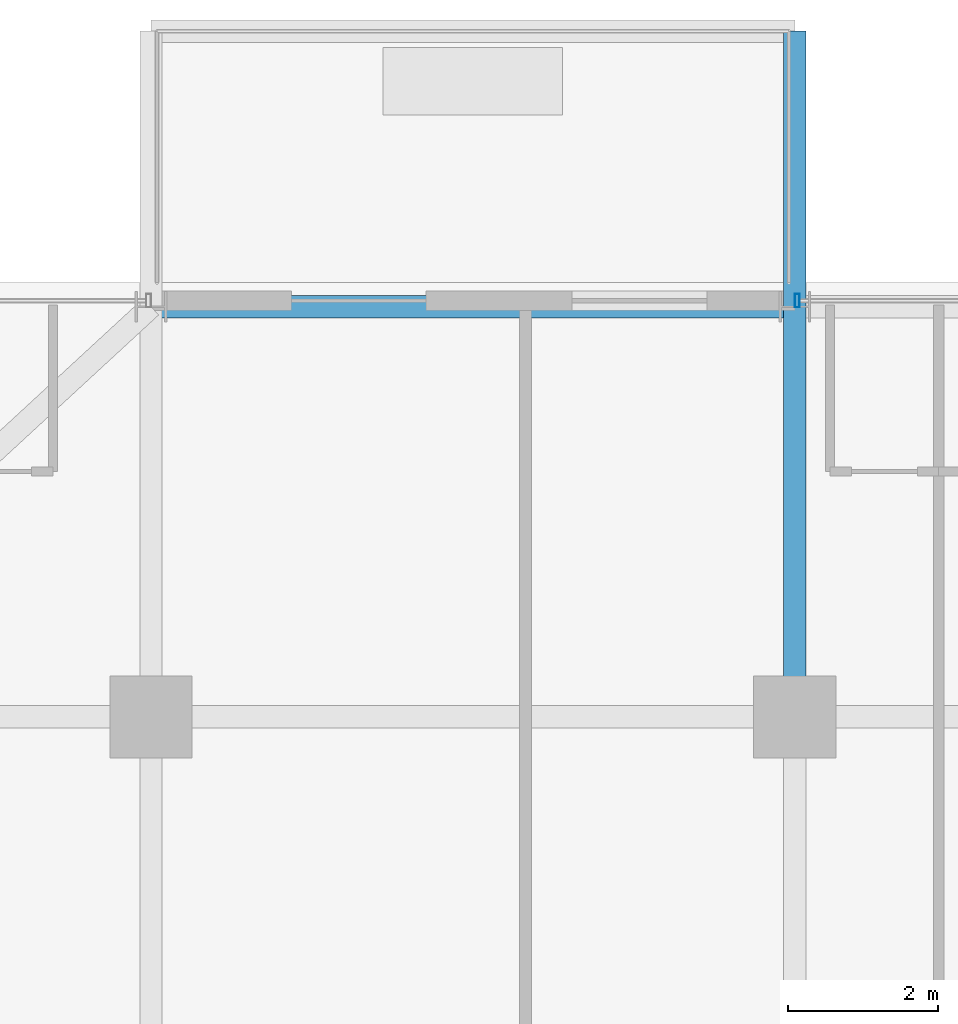
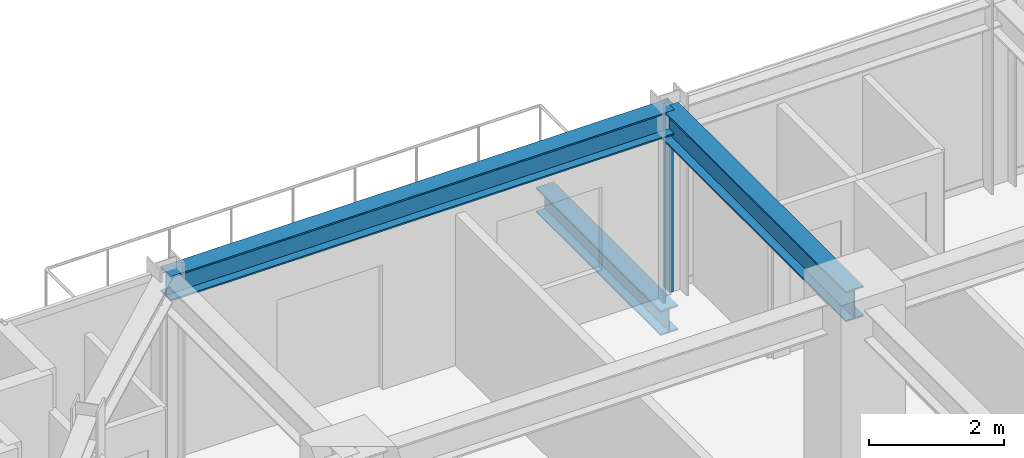
# One storey, part 16 of 29: 3 beams, 1 member, 1 element without a shape of its own.
"""IFC4 building model written with IfcOpenShell, lengths in metres."""

from ifc_helpers import new_model, si_unit, direction, frame, origin, origin_2d, place, context, subcontext, project, spatial, hollow_rectangle, i_section, extrude, source, transform, mapped, material, material_profile, profile_set, type_object, element, aggregate, save


model = new_model("IFC4")

# Units and contexts
model_context = context("Model", 3, precision=1e-05, world=origin(), true_north=direction((0.0, 1.0)))
body_context = subcontext(model_context, "Body", "Model", "MODEL_VIEW")
ifc_project = project(units=[si_unit("LENGTHUNIT", "METRE"), si_unit("AREAUNIT", "SQUARE_METRE"), si_unit("VOLUMEUNIT", "CUBIC_METRE"), si_unit("PLANEANGLEUNIT", "RADIAN"), si_unit("MASSUNIT", "GRAM", prefix="KILO")], contexts=[model_context])

# Site, building, storey
site_placement = place(None, origin())
site = spatial("IfcSite", under=ifc_project, at=site_placement, CompositionType="ELEMENT")
building_placement = place(site_placement, origin())
building = spatial("IfcBuilding", under=site, at=building_placement, Name="Nahalor Promenade Grand Hotel", CompositionType="ELEMENT")
storey_placement = place(building_placement, frame((0.0, 0.0, 189.14990234375)))
storey = spatial("IfcBuildingStorey", under=building, at=storey_placement, Name="L48", CompositionType="ELEMENT", Elevation=189.14990234375)

# Beams
ifc_material_1 = material(Name="Steel S355JR", Category="steel")
ifc_material_profile_1 = material_profile(ifc_material_1, i_section(OverallWidth=0.3, OverallDepth=0.45, WebThickness=0.014, FlangeThickness=0.026, at=origin_2d()), Name="HEB 450")
ifc_profile_set_1 = profile_set([ifc_material_profile_1], Name="Steel S355JR")
beam_type_1 = type_object("IfcBeamType", Name="Beam-Outrigger-HEB450", PredefinedType="BEAM", material=ifc_profile_set_1)
shared_shape_1 = source(origin(), body_context, "Body", "SweptSolid", [
    extrude(i_section(OverallWidth=0.3, OverallDepth=0.45, WebThickness=0.014, FlangeThickness=0.026, at=origin_2d()), origin(), (0.0, 0.0, 1.0), 3.679931640625),
])
beam_1_placement = place(storey_placement, frame((-8.39990234375, 22.47998046875, -0.5048828125), z_axis=(0.0, 1.0, 0.0), x_axis=(-1.0, 0.0, 0.0)))
element("IfcBeam", 1, at=beam_1_placement, inside=storey, type_object=beam_type_1, Name="BM-L48-BC-01-2", PredefinedType="BEAM", context=body_context, shape_type="MappedRepresentation", body=[
    mapped(shared_shape_1, transform((0.0, 0.0, 0.0), scale=1.0)),
])
ifc_material_profile_2 = material_profile(ifc_material_1, i_section(OverallWidth=0.3, OverallDepth=0.55, WebThickness=0.015, FlangeThickness=0.029, at=origin_2d()), Name="HEB 550")
ifc_profile_set_2 = profile_set([ifc_material_profile_2], Name="Steel S355JR")
beam_type_2 = type_object("IfcBeamType", Name="Beam-Girder-HEB550", PredefinedType="BEAM", material=ifc_profile_set_2)
shared_shape_2 = source(origin(), body_context, "Body", "SweptSolid", [
    extrude(i_section(OverallWidth=0.3, OverallDepth=0.55, WebThickness=0.015, FlangeThickness=0.029, at=origin_2d()), origin(), (0.0, 0.0, 1.0), 5.47998046875),
])
beam_2_placement = place(storey_placement, frame((-8.39990234375, 17.0, 3.114990234375), z_axis=(0.0, 1.0, 0.0), x_axis=(-1.0, 0.0, 0.0)))
element("IfcBeam", 2, at=beam_2_placement, inside=storey, type_object=beam_type_2, Name="BM-L48-GY-1-4", PredefinedType="BEAM", context=body_context, shape_type="MappedRepresentation", body=[
    mapped(shared_shape_2, transform((0.0, 0.0, 0.0), scale=1.0)),
])
ifc_material_profile_3 = material_profile(ifc_material_1, i_section(OverallWidth=0.3, OverallDepth=0.45, WebThickness=0.014, FlangeThickness=0.026, at=origin_2d()), Name="HEB 450")
ifc_profile_set_3 = profile_set([ifc_material_profile_3], Name="Steel S355JR")
beam_type_3 = type_object("IfcBeamType", Name="Beam-Spandrel-HEB450", PredefinedType="SPANDREL", material=ifc_profile_set_3)
shared_shape_3 = source(origin(), body_context, "Body", "SweptSolid", [
    extrude(i_section(OverallWidth=0.3, OverallDepth=0.45, WebThickness=0.014, FlangeThickness=0.026, at=origin_2d()), origin(), (0.0, 0.0, 1.0), 8.60009765625),
])
beam_3_placement = place(storey_placement, frame((-17.0, 22.47998046875, 3.1650390625), z_axis=(1.0, 0.0, 0.0), x_axis=(0.0, 1.0, 0.0)))
element("IfcBeam", 3, at=beam_3_placement, inside=storey, type_object=beam_type_3, Name="BM-L48-SP-N-0", PredefinedType="SPANDREL", context=body_context, shape_type="MappedRepresentation", body=[
    mapped(shared_shape_3, transform((0.0, 0.0, 0.0), scale=1.0)),
])

# Curtain wall, member
ifc_material_2 = material(Name="Anodised Bronze Aluminium EN AW-6063 T6", Category="aluminium")
curtain_wall_type = type_object("IfcCurtainWallType", Name="CW2 Typical Hotel Flush Bronze Unitised Curtain Wall", PredefinedType="USERDEFINED", material=ifc_material_2)
curtain_wall_placement = place(storey_placement, origin())
curtain_wall = element("IfcCurtainWall", 4, at=curtain_wall_placement, inside=storey, type_object=curtain_wall_type, Name="L48 Curtain Wall CW-L48-N-3", ObjectType="UNITISED_CURTAIN_WALL", PredefinedType="USERDEFINED")
ifc_material_profile_4 = material_profile(ifc_material_2, hollow_rectangle(XDim=0.065, YDim=0.18, WallThickness=0.004, at=origin_2d()), Name="CWM 65x180x4")
ifc_profile_set_4 = profile_set([ifc_material_profile_4], Name="Anodised Bronze Aluminium EN AW-6063 T6")
member_type = type_object("IfcMemberType", Name="CWM2 Typical Bronze Mullion 65x180", PredefinedType="MULLION", material=ifc_profile_set_4)
shared_shape_4 = source(origin(), body_context, "Body", "SweptSolid", [
    extrude(hollow_rectangle(XDim=0.065, YDim=0.18, WallThickness=0.004, at=origin_2d()), origin(), (0.0, 0.0, 1.0), 3.39013671875),
])
member_placement = place(storey_placement, frame((-8.367431640625, 22.56005859375, 0.0), z_axis=(0.0, 0.0, 1.0), x_axis=(1.0, 0.0, 0.0)))
member = element("IfcMember", 5, at=member_placement, type_object=member_type, Name="CW-L48-N-3 Mullion 0", PredefinedType="MULLION", context=body_context, shape_type="MappedRepresentation", body=[
    mapped(shared_shape_4, transform((0.0, 0.0, 0.0), scale=1.0)),
])
aggregate(curtain_wall, [member])

save(model, "model.ifc")
